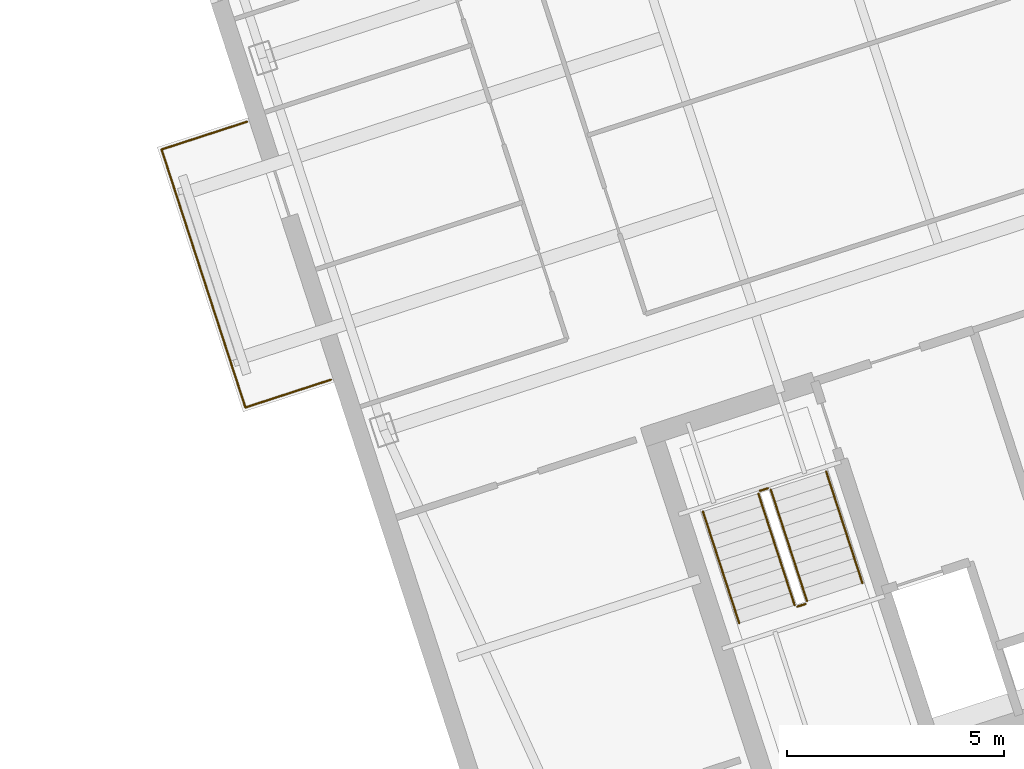
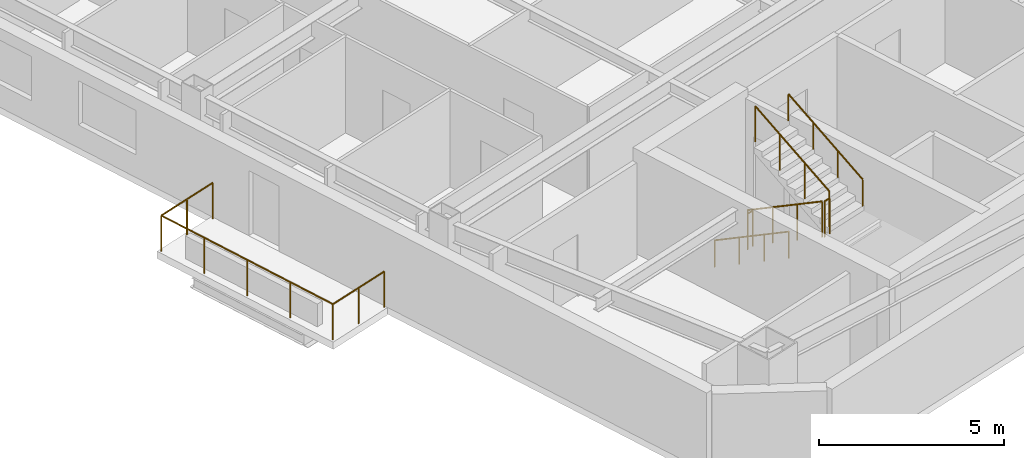
# One storey, part 14 of 15: 7 railings.
"""IFC4 building model written with IfcOpenShell, lengths in metres."""

from ifc_helpers import new_model, si_unit, direction, frame, origin, origin_2d, place, context, subcontext, project, spatial, circle, extrude, material, type_object, element, save


model = new_model("IFC4")

# Units and contexts
model_context = context("Model", 3, precision=1e-05, world=origin(), true_north=direction((0.0, 1.0)))
body_context = subcontext(model_context, "Body", "Model", "MODEL_VIEW")
ifc_project = project(units=[si_unit("LENGTHUNIT", "METRE"), si_unit("AREAUNIT", "SQUARE_METRE"), si_unit("VOLUMEUNIT", "CUBIC_METRE"), si_unit("PLANEANGLEUNIT", "RADIAN"), si_unit("MASSUNIT", "GRAM", prefix="KILO")], contexts=[model_context])

# Site, building, storey
site_placement = place(None, origin())
site = spatial("IfcSite", under=ifc_project, at=site_placement, CompositionType="ELEMENT")
building_placement = place(site_placement, origin())
building = spatial("IfcBuilding", under=site, at=building_placement, Name="Qiaolan Cultural Towers", CompositionType="ELEMENT")
storey_placement = place(building_placement, frame((0.0, 0.0, 209.300048828125)))
storey = spatial("IfcBuildingStorey", under=building, at=storey_placement, Name="L56", CompositionType="ELEMENT", Elevation=209.300048828125)

# Railings
ifc_material_1 = material(Name="Laminated SentryGlas & Stainless Steel S31608 Balustrade", Category="steel")
railing_type_1 = type_object("IfcRailingType", Name="GRD-TERR-1200", PredefinedType="BALUSTRADE", material=ifc_material_1)
railing_1_placement = place(storey_placement, frame((78.771240234375, 22.444580078125, 0.0)))
element("IfcRailing", 1, at=railing_1_placement, inside=storey, type_object=railing_type_1, Name="L56 T2 Tree Balcony Guardrail W", PredefinedType="BALUSTRADE", context=body_context, shape_type="SweptSolid", body=[
    extrude(circle(Radius=0.02392578125, at=origin_2d()), frame((0.0, 0.0, 1.17578125), z_axis=(-0.951061799618, -0.309000733507, 0.0), x_axis=(0.309000733507, -0.951061799618, 0.0)), (0.0, 0.0, 1.0), 2.070068359375),
    extrude(circle(Radius=0.02392578125, at=origin_2d()), frame((-1.96875, -0.6396484375, 1.17578125), z_axis=(-0.30901175762, 0.951058217804, 0.0), x_axis=(-0.951058217804, -0.30901175762, 0.0)), (0.0, 0.0, 1.0), 6.239990234375),
    extrude(circle(Radius=0.02392578125, at=origin_2d()), frame((-3.89697265625, 5.294921875, 1.17578125), z_axis=(0.951061799618, 0.309000733507, 0.0), x_axis=(-0.309000733507, 0.951061799618, 0.0)), (0.0, 0.0, 1.0), 2.070068359375),
    extrude(circle(Radius=0.02099609375, at=origin_2d()), origin(), (0.0, 0.0, 1.0), 1.15185546875),
    extrude(circle(Radius=0.02099609375, at=origin_2d()), frame((-0.984375, -0.31982421875, 0.0)), (0.0, 0.0, 1.0), 1.15185546875),
    extrude(circle(Radius=0.02099609375, at=origin_2d()), frame((-1.96875, -0.6396484375, 0.0)), (0.0, 0.0, 1.0), 1.15185546875),
    extrude(circle(Radius=0.02099609375, at=origin_2d()), frame((-2.45068359375, 0.843994140625, 0.0)), (0.0, 0.0, 1.0), 1.15185546875),
    extrude(circle(Radius=0.02099609375, at=origin_2d()), frame((-2.932861328125, 2.32763671875, 0.0)), (0.0, 0.0, 1.0), 1.15185546875),
    extrude(circle(Radius=0.02099609375, at=origin_2d()), frame((-3.4150390625, 3.811279296875, 0.0)), (0.0, 0.0, 1.0), 1.15185546875),
    extrude(circle(Radius=0.02099609375, at=origin_2d()), frame((-3.89697265625, 5.294921875, 0.0)), (0.0, 0.0, 1.0), 1.15185546875),
    extrude(circle(Radius=0.02099609375, at=origin_2d()), frame((-2.91259765625, 5.61474609375, 0.0)), (0.0, 0.0, 1.0), 1.15185546875),
    extrude(circle(Radius=0.02099609375, at=origin_2d()), frame((-1.92822265625, 5.9345703125, 0.0)), (0.0, 0.0, 1.0), 1.15185546875),
])
ifc_material_2 = material(Name="Galvanized Painted Steel Stair Guardrail", Category="steel")
railing_type_2 = type_object("IfcRailingType", Name="RL-STAIR-GRD", PredefinedType="GUARDRAIL", material=ifc_material_2)
railing_2_placement = place(storey_placement, frame((88.60205078125, 19.82421875, 0.17236328125)))
element("IfcRailing", 2, at=railing_2_placement, inside=storey, type_object=railing_type_2, Name="L56 ST-E1 stair guard 1", PredefinedType="GUARDRAIL", context=body_context, shape_type="SweptSolid", body=[
    extrude(circle(Radius=0.02392578125, at=origin_2d()), frame((0.0, 0.0, 1.17578125), z_axis=(0.267925668498, -0.824471088726, 0.498460891159), x_axis=(0.951043371037, 0.309057448393, 0.0)), (0.0, 0.0, 1.0), 3.114501953125),
    extrude(circle(Radius=0.02099609375, at=origin_2d()), origin(), (0.0, 0.0, 1.0), 1.15185546875),
    extrude(circle(Radius=0.02099609375, at=origin_2d()), frame((0.278076171875, -0.85595703125, 0.517578125)), (0.0, 0.0, 1.0), 1.15185546875),
    extrude(circle(Radius=0.02099609375, at=origin_2d()), frame((0.556396484375, -1.7119140625, 1.034912109375)), (0.0, 0.0, 1.0), 1.15185546875),
    extrude(circle(Radius=0.02099609375, at=origin_2d()), frame((0.83447265625, -2.56787109375, 1.552490234375)), (0.0, 0.0, 1.0), 1.15185546875),
])
railing_3_placement = place(storey_placement, frame((89.49951171875, 17.224365234375, 1.724853515625)))
element("IfcRailing", 3, at=railing_3_placement, inside=storey, type_object=railing_type_2, Name="L56 ST-E1 stair guard 2", PredefinedType="GUARDRAIL", context=body_context, shape_type="SweptSolid", body=[
    extrude(circle(Radius=0.02392578125, at=origin_2d()), frame((0.0, 0.0, 1.17578125), z_axis=(0.951096855055, 0.308892816854, 0.0), x_axis=(-0.308892816854, 0.951096855055, 0.0)), (0.0, 0.0, 1.0), 0.199951171875),
    extrude(circle(Radius=0.02099609375, at=origin_2d()), origin(), (0.0, 0.0, 1.0), 1.15185546875),
    extrude(circle(Radius=0.02099609375, at=origin_2d()), frame((0.190185546875, 0.061767578125, 0.0)), (0.0, 0.0, 1.0), 1.15185546875),
])
railing_4_placement = place(storey_placement, frame((89.721923828125, 17.34912109375, 1.8974609375)))
element("IfcRailing", 4, at=railing_4_placement, inside=storey, type_object=railing_type_2, Name="L56 ST-E1 stair guard 3", PredefinedType="GUARDRAIL", context=body_context, shape_type="SweptSolid", body=[
    extrude(circle(Radius=0.02392578125, at=origin_2d()), frame((0.0, 0.0, 1.17578125), z_axis=(-0.267925668498, 0.824471088726, 0.498460891159), x_axis=(-0.951043371037, -0.309057448393, 0.0)), (0.0, 0.0, 1.0), 3.114501953125),
    extrude(circle(Radius=0.02099609375, at=origin_2d()), origin(), (0.0, 0.0, 1.0), 1.15185546875),
    extrude(circle(Radius=0.02099609375, at=origin_2d()), frame((-0.278076171875, 0.85595703125, 0.517578125)), (0.0, 0.0, 1.0), 1.15185546875),
    extrude(circle(Radius=0.02099609375, at=origin_2d()), frame((-0.556396484375, 1.7119140625, 1.034912109375)), (0.0, 0.0, 1.0), 1.15185546875),
    extrude(circle(Radius=0.02099609375, at=origin_2d()), frame((-0.83447265625, 2.56787109375, 1.552490234375)), (0.0, 0.0, 1.0), 1.15185546875),
])
railing_5_placement = place(storey_placement, frame((88.63427734375, 19.88720703125, 0.0)))
element("IfcRailing", 5, at=railing_5_placement, inside=storey, type_object=railing_type_2, Name="L56 ST-E1 stair guard 4", PredefinedType="GUARDRAIL", context=body_context, shape_type="SweptSolid", body=[
    extrude(circle(Radius=0.02392578125, at=origin_2d()), frame((0.0, 0.0, 1.17578125), z_axis=(0.951096855055, 0.308892816854, 0.0), x_axis=(-0.308892816854, 0.951096855055, 0.0)), (0.0, 0.0, 1.0), 0.199951171875),
    extrude(circle(Radius=0.02099609375, at=origin_2d()), origin(), (0.0, 0.0, 1.0), 1.15185546875),
    extrude(circle(Radius=0.02099609375, at=origin_2d()), frame((0.190185546875, 0.061767578125, 0.0)), (0.0, 0.0, 1.0), 1.15185546875),
])
ifc_material_3 = material(Name="Stainless Steel S30408 Tubular Handrail", Category="steel")
railing_type_3 = type_object("IfcRailingType", Name="RL-STAIR-HR", PredefinedType="HANDRAIL", material=ifc_material_3)
railing_6_placement = place(storey_placement, frame((87.32763671875, 19.41015625, 0.17236328125)))
element("IfcRailing", 6, at=railing_6_placement, inside=storey, type_object=railing_type_3, Name="L56 ST-E1 stair handrail 1", PredefinedType="HANDRAIL", context=body_context, shape_type="SweptSolid", body=[
    extrude(circle(Radius=0.02392578125, at=origin_2d()), frame((0.0, 0.0, 0.8759765625), z_axis=(0.267925668498, -0.824471088726, 0.498460891159), x_axis=(0.951043371037, 0.309057448393, 0.0)), (0.0, 0.0, 1.0), 3.114501953125),
    extrude(circle(Radius=0.02099609375, at=origin_2d()), origin(), (0.0, 0.0, 1.0), 0.851806640625),
    extrude(circle(Radius=0.02099609375, at=origin_2d()), frame((0.278076171875, -0.85595703125, 0.517578125)), (0.0, 0.0, 1.0), 0.851806640625),
    extrude(circle(Radius=0.02099609375, at=origin_2d()), frame((0.556396484375, -1.7119140625, 1.034912109375)), (0.0, 0.0, 1.0), 0.851806640625),
    extrude(circle(Radius=0.02099609375, at=origin_2d()), frame((0.83447265625, -2.56787109375, 1.552490234375)), (0.0, 0.0, 1.0), 0.851806640625),
])
railing_7_placement = place(storey_placement, frame((90.996337890625, 17.76318359375, 1.8974609375)))
element("IfcRailing", 7, at=railing_7_placement, inside=storey, type_object=railing_type_3, Name="L56 ST-E1 stair handrail 2", PredefinedType="HANDRAIL", context=body_context, shape_type="SweptSolid", body=[
    extrude(circle(Radius=0.02392578125, at=origin_2d()), frame((0.0, 0.0, 0.8759765625), z_axis=(-0.267925668498, 0.824471088726, 0.498460891159), x_axis=(-0.951043371037, -0.309057448393, 0.0)), (0.0, 0.0, 1.0), 3.114501953125),
    extrude(circle(Radius=0.02099609375, at=origin_2d()), origin(), (0.0, 0.0, 1.0), 0.851806640625),
    extrude(circle(Radius=0.02099609375, at=origin_2d()), frame((-0.278076171875, 0.85595703125, 0.517578125)), (0.0, 0.0, 1.0), 0.851806640625),
    extrude(circle(Radius=0.02099609375, at=origin_2d()), frame((-0.556396484375, 1.7119140625, 1.034912109375)), (0.0, 0.0, 1.0), 0.851806640625),
    extrude(circle(Radius=0.02099609375, at=origin_2d()), frame((-0.83447265625, 2.56787109375, 1.552490234375)), (0.0, 0.0, 1.0), 0.851806640625),
])

save(model, "model.ifc")
